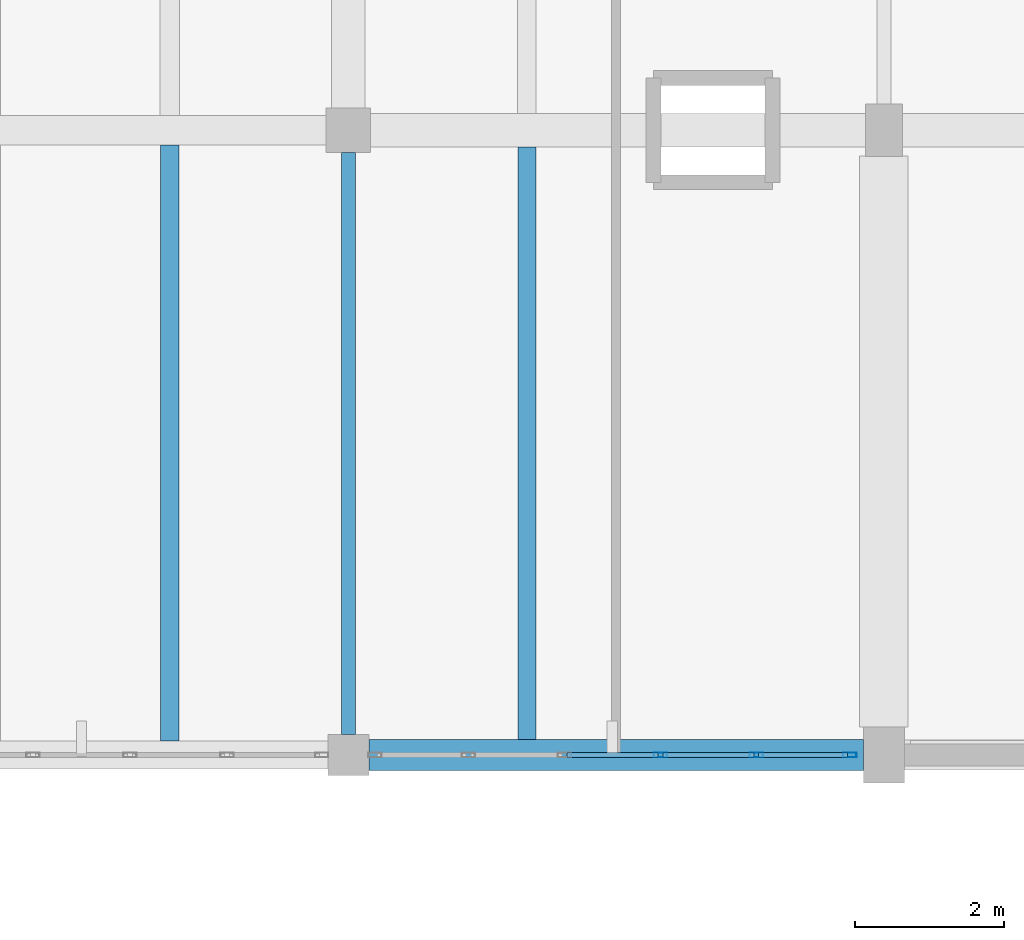
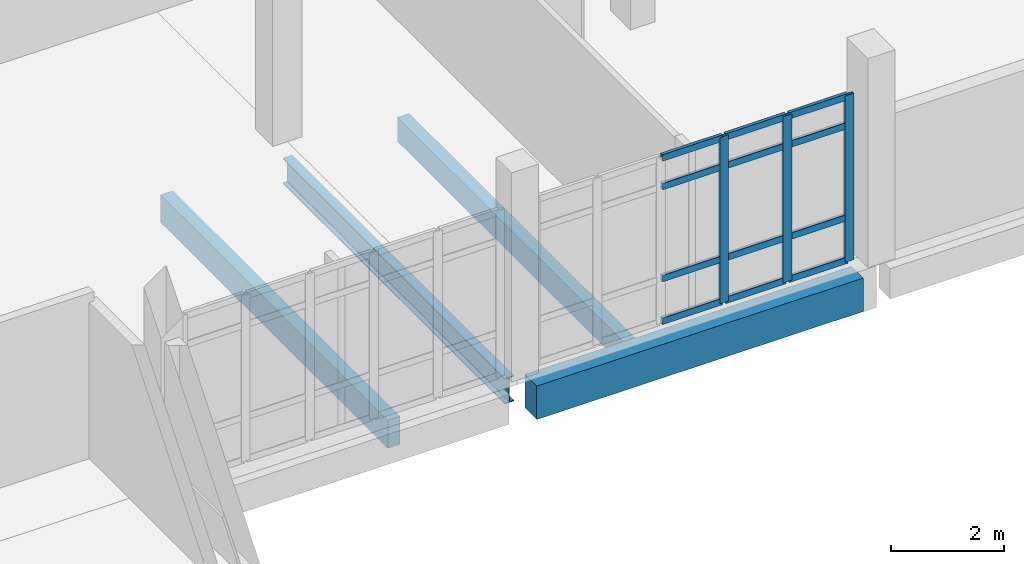
# One storey, part 14 of 41: 15 members, 4 beams, 1 element without a shape of its own.
"""IFC4 building model written with IfcOpenShell, lengths in metres."""

from ifc_helpers import new_model, si_unit, direction, frame, origin, origin_2d, place, context, subcontext, project, spatial, rectangle, hollow_rectangle, i_section, extrude, material, material_profile, profile_set, type_object, element, aggregate, save


model = new_model("IFC4")

# Units and contexts
model_context = context("Model", 3, precision=1e-05, world=origin(), true_north=direction((0.0, 1.0)))
body_context = subcontext(model_context, "Body", "Model", "MODEL_VIEW")
ifc_project = project(units=[si_unit("LENGTHUNIT", "METRE"), si_unit("AREAUNIT", "SQUARE_METRE"), si_unit("VOLUMEUNIT", "CUBIC_METRE"), si_unit("PLANEANGLEUNIT", "RADIAN"), si_unit("MASSUNIT", "GRAM", prefix="KILO")], contexts=[model_context])

# Site, building, storey
site_placement = place(None, origin())
site = spatial("IfcSite", under=ifc_project, at=site_placement, CompositionType="ELEMENT")
building_placement = place(site_placement, origin())
building = spatial("IfcBuilding", under=site, at=building_placement, Name="Kalluvel Institute of Natural Sciences", CompositionType="ELEMENT")
storey_placement = place(building_placement, frame((0.0, 0.0, 32.39990234375)))
storey = spatial("IfcBuildingStorey", under=building, at=storey_placement, Name="L07", CompositionType="ELEMENT", Elevation=32.39990234375)

# Beams
ifc_material_1 = material(Name="Steel E350 Grade 350", Category="steel")
ifc_material_profile_1 = material_profile(ifc_material_1, i_section(OverallWidth=0.18994140625, OverallDepth=0.550048828125, WebThickness=0.01123046875, FlangeThickness=0.019287109375, FilletRadius=0.01806640625, at=origin_2d()), Name="ISMB 550")
ifc_profile_set_1 = profile_set([ifc_material_profile_1], Name="Steel E350 Grade 350")
beam_type_1 = type_object("IfcBeamType", Name="BM-ISMB550", PredefinedType="BEAM", material=ifc_profile_set_1)
beam_1_placement = place(storey_placement, frame((64.39990234375, 103.074951171875, -0.594970703125), z_axis=(0.0, 1.0, 0.0), x_axis=(-1.0, 0.0, 0.0)))
element("IfcBeam", 1, at=beam_1_placement, inside=storey, type_object=beam_type_1, Name="L07 girder GIR-L07-NS-X644-Y1028", PredefinedType="BEAM", context=body_context, shape_type="SweptSolid", body=[
    extrude(i_section(OverallWidth=0.18994140625, OverallDepth=0.550048828125, WebThickness=0.01123046875, FlangeThickness=0.019287109375, FilletRadius=0.01806640625, at=origin_2d()), origin(), (0.0, 0.0, 1.0), 7.824951171875),
])
ifc_material_2 = material(Name="Concrete M40", Category="concrete")
ifc_material_profile_2 = material_profile(ifc_material_2, rectangle(XDim=0.419921875, YDim=0.719970703125, at=origin_2d()), Name="RCB 420x720")
ifc_profile_set_2 = profile_set([ifc_material_profile_2], Name="Concrete M40")
beam_type_2 = type_object("IfcBeamType", Name="BM-RC420x720", PredefinedType="BEAM", material=ifc_profile_set_2)
beam_2_placement = place(storey_placement, frame((64.675048828125, 102.800048828125, -0.679931640625), z_axis=(1.0, 0.0, 0.0), x_axis=(0.0, 1.0, 0.0)))
element("IfcBeam", 2, at=beam_2_placement, inside=storey, type_object=beam_type_2, Name="L07 girder GIR-L07-EW-X644-Y1028", PredefinedType="BEAM", context=body_context, shape_type="SweptSolid", body=[
    extrude(rectangle(XDim=0.419921875, YDim=0.719970703125, at=origin_2d()), origin(), (0.0, 0.0, 1.0), 6.64990234375),
])

# Curtain wall, members
ifc_material_3 = material(Name="Aluminium AW-6063 T6", Category="aluminium")
curtain_wall_type = type_object("IfcCurtainWallType", Name="CW-WET-45", PredefinedType="USERDEFINED", material=ifc_material_3)
curtain_wall_placement = place(storey_placement, origin())
curtain_wall = element("IfcCurtainWall", 3, at=curtain_wall_placement, inside=storey, type_object=curtain_wall_type, Name="L07 Gothic lancet curtain wall CWA-L07-X647-Y1028", ObjectType="UNITISED LANCET FACADE", PredefinedType="USERDEFINED")
ifc_material_profile_3 = material_profile(ifc_material_3, hollow_rectangle(XDim=0.06494140625, YDim=0.179931640625, WallThickness=0.00439453125, at=origin_2d()), Name="CWM 65x180")
ifc_profile_set_3 = profile_set([ifc_material_profile_3], Name="Aluminium AW-6063 T6")
member_type_1 = type_object("IfcMemberType", Name="CWM-65x180", PredefinedType="MULLION", material=ifc_profile_set_3)
member_1_placement = place(storey_placement, frame((68.594970703125, 102.800048828125, 0.0), z_axis=(0.0, 0.0, 1.0), x_axis=(0.0, 1.0, 0.0)))
member_1 = element("IfcMember", 4, at=member_1_placement, type_object=member_type_1, Name="CW-01 mullion 4", PredefinedType="MULLION", context=body_context, shape_type="SweptSolid", body=[
    extrude(hollow_rectangle(XDim=0.06494140625, YDim=0.179931640625, WallThickness=0.00439453125, at=origin_2d()), origin(), (0.0, 0.0, 1.0), 3.580078125),
])
member_2_placement = place(storey_placement, frame((69.885009765625, 102.800048828125, 0.0), z_axis=(0.0, 0.0, 1.0), x_axis=(0.0, 1.0, 0.0)))
member_2 = element("IfcMember", 5, at=member_2_placement, type_object=member_type_1, Name="CW-01 mullion 5", PredefinedType="MULLION", context=body_context, shape_type="SweptSolid", body=[
    extrude(hollow_rectangle(XDim=0.06494140625, YDim=0.179931640625, WallThickness=0.00439453125, at=origin_2d()), origin(), (0.0, 0.0, 1.0), 3.580078125),
])
member_3_placement = place(storey_placement, frame((71.142578125, 102.800048828125, 0.0), z_axis=(0.0, 0.0, 1.0), x_axis=(0.0, 1.0, 0.0)))
member_3 = element("IfcMember", 6, at=member_3_placement, type_object=member_type_1, Name="CW-01 mullion 6", PredefinedType="MULLION", context=body_context, shape_type="SweptSolid", body=[
    extrude(hollow_rectangle(XDim=0.06494140625, YDim=0.179931640625, WallThickness=0.00439453125, at=origin_2d()), origin(), (0.0, 0.0, 1.0), 3.580078125),
])
ifc_material_profile_4 = material_profile(ifc_material_3, hollow_rectangle(XDim=0.06494140625, YDim=0.139892578125, WallThickness=0.00439453125, at=origin_2d()), Name="CWT 65x140")
ifc_profile_set_4 = profile_set([ifc_material_profile_4], Name="Aluminium AW-6063 T6")
member_type_2 = type_object("IfcMemberType", Name="CWT-65x140", PredefinedType="USERDEFINED", material=ifc_profile_set_4)
member_4_placement = place(storey_placement, frame((67.33740234375, 102.800048828125, 0.03271484375), z_axis=(1.0, 0.0, 0.0), x_axis=(0.0, 1.0, 0.0)))
member_4 = element("IfcMember", 7, at=member_4_placement, type_object=member_type_2, Name="CW-01 transom 3.1", ObjectType="TRANSOM", PredefinedType="USERDEFINED", context=body_context, shape_type="SweptSolid", body=[
    extrude(hollow_rectangle(XDim=0.06494140625, YDim=0.139892578125, WallThickness=0.00439453125, at=origin_2d()), origin(), (0.0, 0.0, 1.0), 1.22509765625),
])
member_5_placement = place(storey_placement, frame((67.33740234375, 102.800048828125, 0.9501953125), z_axis=(1.0, 0.0, 0.0), x_axis=(0.0, 1.0, 0.0)))
member_5 = element("IfcMember", 8, at=member_5_placement, type_object=member_type_2, Name="CW-01 transom 3.2", ObjectType="TRANSOM", PredefinedType="USERDEFINED", context=body_context, shape_type="SweptSolid", body=[
    extrude(hollow_rectangle(XDim=0.06494140625, YDim=0.139892578125, WallThickness=0.00439453125, at=origin_2d()), origin(), (0.0, 0.0, 1.0), 1.22509765625),
])
member_6_placement = place(storey_placement, frame((67.33740234375, 102.800048828125, 2.93017578125), z_axis=(1.0, 0.0, 0.0), x_axis=(0.0, 1.0, 0.0)))
member_6 = element("IfcMember", 9, at=member_6_placement, type_object=member_type_2, Name="CW-01 transom 3.3", ObjectType="TRANSOM", PredefinedType="USERDEFINED", context=body_context, shape_type="SweptSolid", body=[
    extrude(hollow_rectangle(XDim=0.06494140625, YDim=0.139892578125, WallThickness=0.00439453125, at=origin_2d()), origin(), (0.0, 0.0, 1.0), 1.22509765625),
])
member_7_placement = place(storey_placement, frame((67.33740234375, 102.800048828125, 3.547607421875), z_axis=(1.0, 0.0, 0.0), x_axis=(0.0, 1.0, 0.0)))
member_7 = element("IfcMember", 10, at=member_7_placement, type_object=member_type_2, Name="CW-01 transom 3.4", ObjectType="TRANSOM", PredefinedType="USERDEFINED", context=body_context, shape_type="SweptSolid", body=[
    extrude(hollow_rectangle(XDim=0.06494140625, YDim=0.139892578125, WallThickness=0.00439453125, at=origin_2d()), origin(), (0.0, 0.0, 1.0), 1.22509765625),
])
member_8_placement = place(storey_placement, frame((68.62744140625, 102.800048828125, 0.03271484375), z_axis=(1.0, 0.0, 0.0), x_axis=(0.0, 1.0, 0.0)))
member_8 = element("IfcMember", 11, at=member_8_placement, type_object=member_type_2, Name="CW-01 transom 4.1", ObjectType="TRANSOM", PredefinedType="USERDEFINED", context=body_context, shape_type="SweptSolid", body=[
    extrude(hollow_rectangle(XDim=0.06494140625, YDim=0.139892578125, WallThickness=0.00439453125, at=origin_2d()), origin(), (0.0, 0.0, 1.0), 1.22509765625),
])
member_9_placement = place(storey_placement, frame((68.62744140625, 102.800048828125, 0.9501953125), z_axis=(1.0, 0.0, 0.0), x_axis=(0.0, 1.0, 0.0)))
member_9 = element("IfcMember", 12, at=member_9_placement, type_object=member_type_2, Name="CW-01 transom 4.2", ObjectType="TRANSOM", PredefinedType="USERDEFINED", context=body_context, shape_type="SweptSolid", body=[
    extrude(hollow_rectangle(XDim=0.06494140625, YDim=0.139892578125, WallThickness=0.00439453125, at=origin_2d()), origin(), (0.0, 0.0, 1.0), 1.22509765625),
])
member_10_placement = place(storey_placement, frame((68.62744140625, 102.800048828125, 2.93017578125), z_axis=(1.0, 0.0, 0.0), x_axis=(0.0, 1.0, 0.0)))
member_10 = element("IfcMember", 13, at=member_10_placement, type_object=member_type_2, Name="CW-01 transom 4.3", ObjectType="TRANSOM", PredefinedType="USERDEFINED", context=body_context, shape_type="SweptSolid", body=[
    extrude(hollow_rectangle(XDim=0.06494140625, YDim=0.139892578125, WallThickness=0.00439453125, at=origin_2d()), origin(), (0.0, 0.0, 1.0), 1.22509765625),
])
member_11_placement = place(storey_placement, frame((68.62744140625, 102.800048828125, 3.547607421875), z_axis=(1.0, 0.0, 0.0), x_axis=(0.0, 1.0, 0.0)))
member_11 = element("IfcMember", 14, at=member_11_placement, type_object=member_type_2, Name="CW-01 transom 4.4", ObjectType="TRANSOM", PredefinedType="USERDEFINED", context=body_context, shape_type="SweptSolid", body=[
    extrude(hollow_rectangle(XDim=0.06494140625, YDim=0.139892578125, WallThickness=0.00439453125, at=origin_2d()), origin(), (0.0, 0.0, 1.0), 1.22509765625),
])
member_12_placement = place(storey_placement, frame((69.91748046875, 102.800048828125, 0.03271484375), z_axis=(1.0, 0.0, 0.0), x_axis=(0.0, 1.0, 0.0)))
member_12 = element("IfcMember", 15, at=member_12_placement, type_object=member_type_2, Name="CW-01 transom 5.1", ObjectType="TRANSOM", PredefinedType="USERDEFINED", context=body_context, shape_type="SweptSolid", body=[
    extrude(hollow_rectangle(XDim=0.06494140625, YDim=0.139892578125, WallThickness=0.00439453125, at=origin_2d()), origin(), (0.0, 0.0, 1.0), 1.192626953125),
])
member_13_placement = place(storey_placement, frame((69.91748046875, 102.800048828125, 0.9501953125), z_axis=(1.0, 0.0, 0.0), x_axis=(0.0, 1.0, 0.0)))
member_13 = element("IfcMember", 16, at=member_13_placement, type_object=member_type_2, Name="CW-01 transom 5.2", ObjectType="TRANSOM", PredefinedType="USERDEFINED", context=body_context, shape_type="SweptSolid", body=[
    extrude(hollow_rectangle(XDim=0.06494140625, YDim=0.139892578125, WallThickness=0.00439453125, at=origin_2d()), origin(), (0.0, 0.0, 1.0), 1.192626953125),
])
member_14_placement = place(storey_placement, frame((69.91748046875, 102.800048828125, 2.93017578125), z_axis=(1.0, 0.0, 0.0), x_axis=(0.0, 1.0, 0.0)))
member_14 = element("IfcMember", 17, at=member_14_placement, type_object=member_type_2, Name="CW-01 transom 5.3", ObjectType="TRANSOM", PredefinedType="USERDEFINED", context=body_context, shape_type="SweptSolid", body=[
    extrude(hollow_rectangle(XDim=0.06494140625, YDim=0.139892578125, WallThickness=0.00439453125, at=origin_2d()), origin(), (0.0, 0.0, 1.0), 1.192626953125),
])
member_15_placement = place(storey_placement, frame((69.91748046875, 102.800048828125, 3.547607421875), z_axis=(1.0, 0.0, 0.0), x_axis=(0.0, 1.0, 0.0)))
member_15 = element("IfcMember", 18, at=member_15_placement, type_object=member_type_2, Name="CW-01 transom 5.4", ObjectType="TRANSOM", PredefinedType="USERDEFINED", context=body_context, shape_type="SweptSolid", body=[
    extrude(hollow_rectangle(XDim=0.06494140625, YDim=0.139892578125, WallThickness=0.00439453125, at=origin_2d()), origin(), (0.0, 0.0, 1.0), 1.192626953125),
])
aggregate(curtain_wall, [member_1, member_2, member_3, member_4, member_5, member_6, member_7, member_8, member_9, member_10, member_11, member_12, member_13, member_14, member_15])

# Beams
ifc_material_profile_5 = material_profile(ifc_material_2, rectangle(XDim=0.239990234375, YDim=0.52001953125, at=origin_2d()), Name="WAF 240x520")
ifc_profile_set_5 = profile_set([ifc_material_profile_5], Name="Concrete M40")
beam_type_3 = type_object("IfcBeamType", Name="WJ-240x520", PredefinedType="JOIST", material=ifc_profile_set_5)
beam_3_placement = place(storey_placement, frame((66.800048828125, 103.010009765625, -0.579833984375), z_axis=(0.0, 1.0, 0.0), x_axis=(-1.0, 0.0, 0.0)))
element("IfcBeam", 19, at=beam_3_placement, inside=storey, type_object=beam_type_3, Name="L07 waffle joist RIB-L07-0550", PredefinedType="JOIST", context=body_context, shape_type="SweptSolid", body=[
    extrude(rectangle(XDim=0.239990234375, YDim=0.52001953125, at=origin_2d()), origin(), (0.0, 0.0, 1.0), 7.965087890625),
])
ifc_material_profile_6 = material_profile(ifc_material_2, rectangle(XDim=0.25, YDim=0.60009765625, at=origin_2d()), Name="WAF 250x600")
ifc_profile_set_6 = profile_set([ifc_material_profile_6], Name="Concrete M40")
beam_type_4 = type_object("IfcBeamType", Name="WJ-250x600", PredefinedType="JOIST", material=ifc_profile_set_6)
beam_4_placement = place(storey_placement, frame((62.0, 102.989990234375, -0.619873046875), z_axis=(0.0, 1.0, 0.0), x_axis=(-1.0, 0.0, 0.0)))
element("IfcBeam", 20, at=beam_4_placement, inside=storey, type_object=beam_type_4, Name="L07 waffle joist RIB-L07-0545", PredefinedType="JOIST", context=body_context, shape_type="SweptSolid", body=[
    extrude(rectangle(XDim=0.25, YDim=0.60009765625, at=origin_2d()), origin(), (0.0, 0.0, 1.0), 8.010009765625),
])

save(model, "model.ifc")
